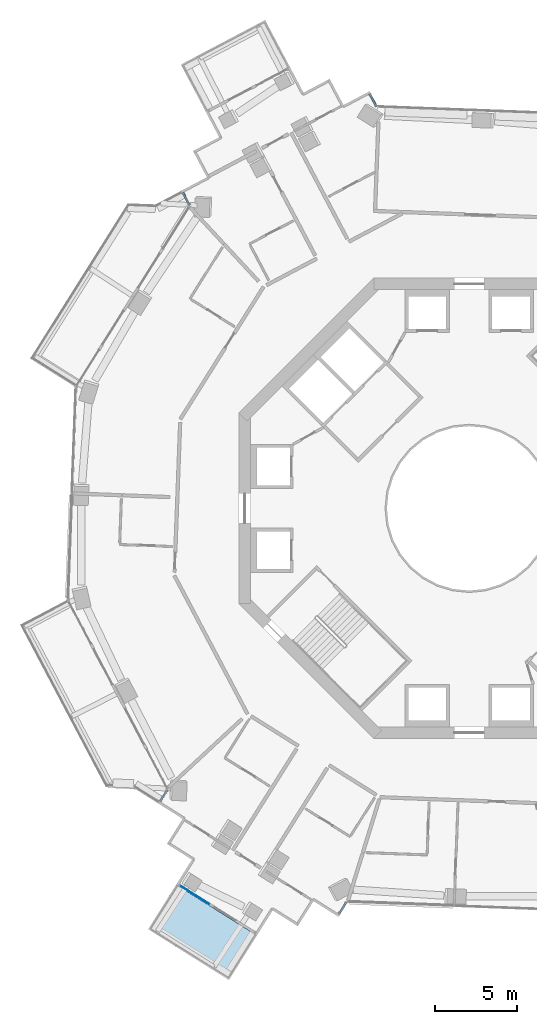
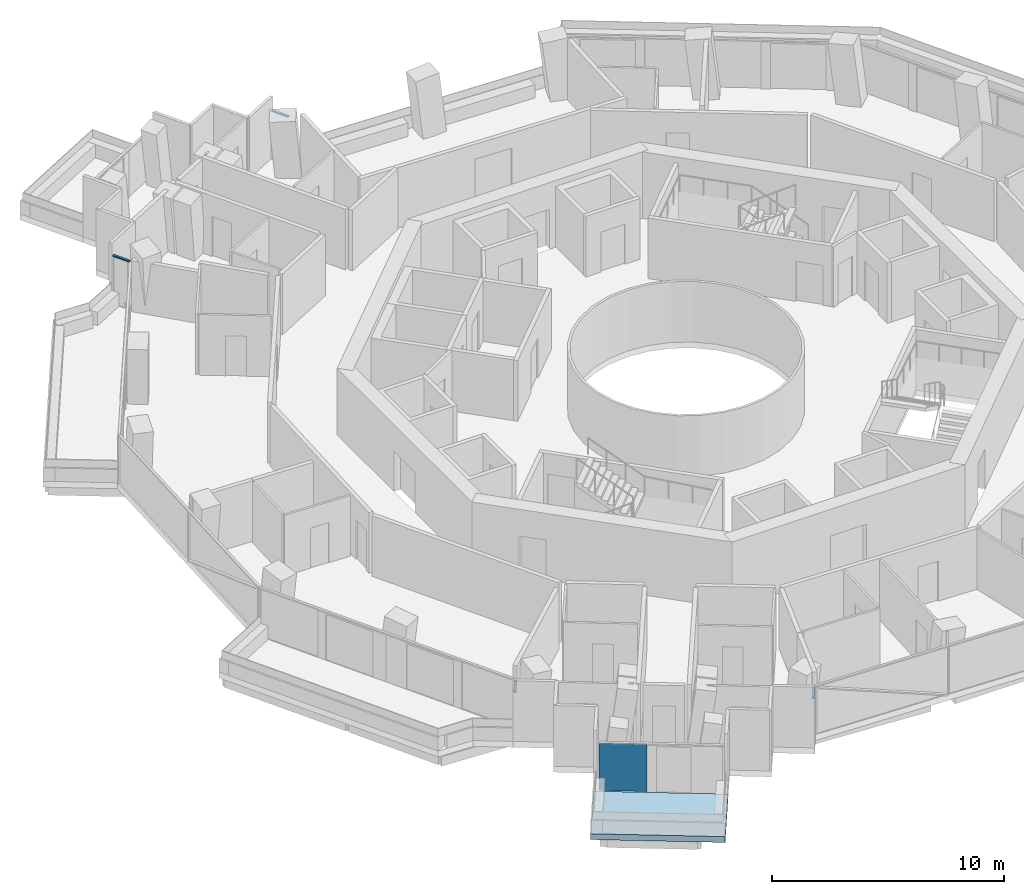
# One storey, part 10 of 23: 4 members, 1 plate, 1 slab, 5 elements without a shape of their own.
"""IFC4 building model written with IfcOpenShell, lengths in metres."""

from ifc_helpers import new_model, si_unit, direction, frame, origin, origin_2d, place, context, subcontext, project, spatial, polyline, rectangle, outline, extrude, material, layer, layer_set, material_profile, profile_set, type_object, element, aggregate, save


model = new_model("IFC4")

# Units and contexts
model_context = context("Model", 3, precision=1e-05, world=origin(), true_north=direction((0.0, 1.0)))
body_context = subcontext(model_context, "Body", "Model", "MODEL_VIEW")
ifc_project = project(units=[si_unit("LENGTHUNIT", "METRE"), si_unit("AREAUNIT", "SQUARE_METRE"), si_unit("VOLUMEUNIT", "CUBIC_METRE"), si_unit("PLANEANGLEUNIT", "RADIAN"), si_unit("MASSUNIT", "GRAM", prefix="KILO")], contexts=[model_context])

# Site, building, storey
site_placement = place(None, origin())
site = spatial("IfcSite", under=ifc_project, at=site_placement, CompositionType="ELEMENT")
building_placement = place(site_placement, origin())
building = spatial("IfcBuilding", under=site, at=building_placement, Name="Verdalira Terraces Hotel", CompositionType="ELEMENT")
storey_placement = place(building_placement, frame((0.0, 0.0, 147.0)))
storey = spatial("IfcBuildingStorey", under=building, at=storey_placement, Name="L35", CompositionType="ELEMENT", Elevation=147.0)

# Curtain wall, member
ifc_material_1 = material(Name="Clear glass", Category="glass")
ifc_layer_1 = layer(ifc_material_1, 0.14990234375)
ifc_layer_set_1 = layer_set([ifc_layer_1], Name="CW2 curtain wall")
curtain_wall_type_1 = type_object("IfcCurtainWallType", Name="CW2 curtain wall", PredefinedType="NOTDEFINED", material=ifc_layer_set_1)
curtain_wall_1_placement = place(storey_placement, origin())
curtain_wall_1 = element("IfcCurtainWall", 1, at=curtain_wall_1_placement, inside=storey, type_object=curtain_wall_type_1, Name="CW2 curtain wall L35 edge 0", PredefinedType="NOTDEFINED")
ifc_material_2 = material(Name="Terracotta frame", Category="masonry")
ifc_material_profile = material_profile(ifc_material_2, rectangle(XDim=0.11499, YDim=0.064941, at=origin_2d()), Name="TR 65x115")
ifc_profile_set = profile_set([ifc_material_profile], Name="Terracotta frame")
member_type = type_object("IfcMemberType", Name="CW2 transom 65x115", PredefinedType="USERDEFINED", material=ifc_profile_set)
member_1_placement = place(storey_placement, frame((-5.647461, 24.451172, 2.507568), z_axis=(-0.467095608, 0.884206816, 0.0), x_axis=(-0.884206816, -0.467095608, 0.0)))
member_1 = element("IfcMember", 2, at=member_1_placement, type_object=member_type, Name="CW2 transom", ObjectType="TRANSOM", PredefinedType="USERDEFINED", context=body_context, shape_type="SweptSolid", body=[
    extrude(rectangle(XDim=0.11499, YDim=0.064941, at=origin_2d()), origin(), (0.0, 0.0, 1.0), 0.849854),
])
aggregate(curtain_wall_1, [member_1])

curtain_wall_2_placement = place(storey_placement, origin())
curtain_wall_2 = element("IfcCurtainWall", 3, at=curtain_wall_2_placement, inside=storey, type_object=curtain_wall_type_1, Name="CW2 curtain wall L35 edge 10", PredefinedType="NOTDEFINED")
member_2_placement = place(storey_placement, frame((-17.406982, 19.20166, 2.507568), z_axis=(0.46697699, -0.884269467, 0.0), x_axis=(0.884269467, 0.46697699, 0.0)))
member_2 = element("IfcMember", 4, at=member_2_placement, type_object=member_type, Name="CW2 transom", ObjectType="TRANSOM", PredefinedType="USERDEFINED", context=body_context, shape_type="SweptSolid", body=[
    extrude(rectangle(XDim=0.11499, YDim=0.064941, at=origin_2d()), origin(), (0.0, 0.0, 1.0), 0.850098),
])
aggregate(curtain_wall_2, [member_2])

curtain_wall_3_placement = place(storey_placement, origin())
curtain_wall_3 = element("IfcCurtainWall", 5, at=curtain_wall_3_placement, inside=storey, type_object=curtain_wall_type_1, Name="CW2 curtain wall L35 edge 14", PredefinedType="NOTDEFINED")
member_3_placement = place(storey_placement, frame((-18.351562, -17.116211, 2.507568), z_axis=(-0.532165664, -0.846640246, 0.0), x_axis=(0.846640246, -0.532165664, 0.0)))
member_3 = element("IfcMember", 6, at=member_3_placement, type_object=member_type, Name="CW2 transom", ObjectType="TRANSOM", PredefinedType="USERDEFINED", context=body_context, shape_type="SweptSolid", body=[
    extrude(rectangle(XDim=0.11499, YDim=0.064941, at=origin_2d()), origin(), (0.0, 0.0, 1.0), 0.850098),
])
aggregate(curtain_wall_3, [member_3])

curtain_wall_4_placement = place(storey_placement, origin())
curtain_wall_4 = element("IfcCurtainWall", 7, at=curtain_wall_4_placement, inside=storey, type_object=curtain_wall_type_1, Name="CW2 curtain wall L35 edge 24", PredefinedType="NOTDEFINED")
member_4_placement = place(storey_placement, frame((-7.925537, -24.675781, 2.507568), z_axis=(0.532295084, 0.846558884, 0.0), x_axis=(-0.846558884, 0.532295084, 0.0)))
member_4 = element("IfcMember", 8, at=member_4_placement, type_object=member_type, Name="CW2 transom", ObjectType="TRANSOM", PredefinedType="USERDEFINED", context=body_context, shape_type="SweptSolid", body=[
    extrude(rectangle(XDim=0.11499, YDim=0.064941, at=origin_2d()), origin(), (0.0, 0.0, 1.0), 0.849854),
])
aggregate(curtain_wall_4, [member_4])

# Slab
ifc_material_3 = material(Name="Precast concrete C40/50", Category="concrete")
ifc_layer_2 = layer(ifc_material_3, 0.31005859375)
ifc_layer_set_2 = layer_set([ifc_layer_2], Name="Balcony deck 310")
slab_type = type_object("IfcSlabType", Name="Balcony deck 310", PredefinedType="FLOOR", material=ifc_layer_set_2)
slab_placement = place(storey_placement, frame((0.0, 0.0, -0.310059)))
element("IfcSlab", 9, at=slab_placement, inside=storey, type_object=slab_type, Name="Balcony deck", PredefinedType="FLOOR", context=body_context, shape_type="SweptSolid", body=[
    extrude(outline(polyline([(-14.609131, -28.683105), (-12.905762, -25.974121), (-17.815918, -22.886719), (-19.519287, -25.595947), (-14.609131, -28.683105)])), origin(), (0.0, 0.0, 1.0), 0.310059),
])

# Curtain wall, plate
ifc_material_4 = material(Name="Clear glass", Category="glass")
ifc_layer_3 = layer(ifc_material_4, 0.14990234375)
ifc_layer_set_3 = layer_set([ifc_layer_3], Name="CW3 curtain wall")
curtain_wall_type_2 = type_object("IfcCurtainWallType", Name="CW3 curtain wall", PredefinedType="NOTDEFINED", material=ifc_layer_set_3)
curtain_wall_5_placement = place(storey_placement, origin())
curtain_wall_5 = element("IfcCurtainWall", 10, at=curtain_wall_5_placement, inside=storey, type_object=curtain_wall_type_2, Name="CW3 curtain wall L35 edge 19", PredefinedType="NOTDEFINED")
ifc_material_5 = material(Name="Clear glass", Category="glass")
ifc_layer_4 = layer(ifc_material_5, 0.035888671875)
ifc_layer_set_4 = layer_set([ifc_layer_4], Name="CW3 glass unit 36")
plate_type = type_object("IfcPlateType", Name="CW3 glass unit 36", PredefinedType="CURTAIN_PANEL", material=ifc_layer_set_4)
plate_placement = place(storey_placement, frame((-16.700928, -23.499268, 0.0), z_axis=(0.0, 0.0, 1.0), x_axis=(0.846564978, -0.532285392, 0.0)))
plate = element("IfcPlate", 11, at=plate_placement, type_object=plate_type, Name="CW3 glass unit", PredefinedType="CURTAIN_PANEL", context=body_context, shape_type="SweptSolid", body=[
    extrude(rectangle(XDim=2.080078, YDim=0.035889, at=origin_2d()), origin(), (0.0, 0.0, 1.0), 2.475098),
])
aggregate(curtain_wall_5, [plate])

save(model, "model.ifc")
